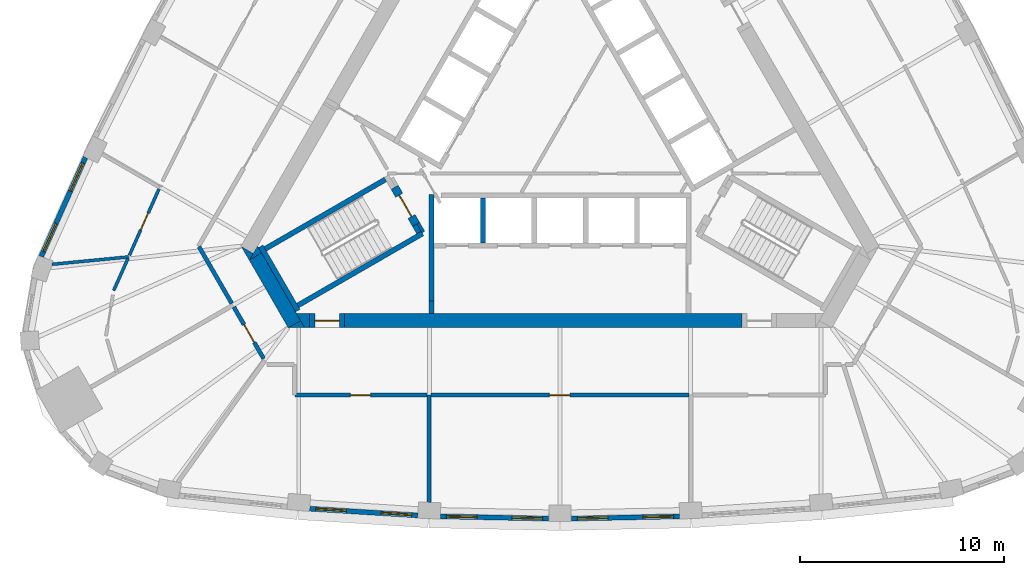
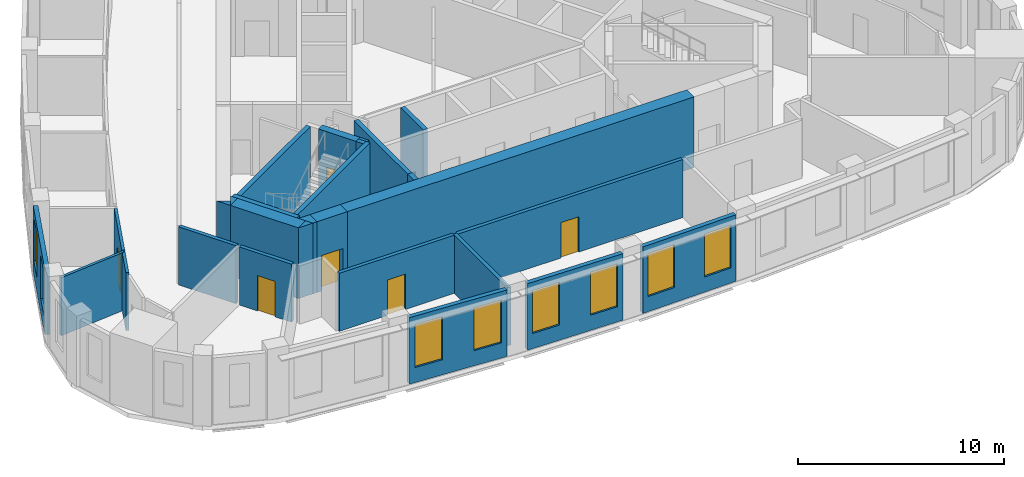
# One storey, part 3 of 11: 28 walls, 8 windows, 6 doors, 14 openings.
"""IFC4 building model written with IfcOpenShell, lengths in metres."""

from ifc_helpers import new_model, si_unit, direction, frame, frame_2d, origin, place, context, subcontext, project, spatial, polyline, rectangle, outline, extrude, material, layer, layer_set, type_object, element, fill, save


model = new_model("IFC4")

# Units and contexts
model_context = context("Model", 3, precision=1e-05, world=origin(), true_north=direction((0.0, 1.0)))
body_context = subcontext(model_context, "Body", "Model", "MODEL_VIEW")
ifc_project = project(units=[si_unit("LENGTHUNIT", "METRE"), si_unit("AREAUNIT", "SQUARE_METRE"), si_unit("VOLUMEUNIT", "CUBIC_METRE"), si_unit("PLANEANGLEUNIT", "RADIAN"), si_unit("MASSUNIT", "GRAM", prefix="KILO")], contexts=[model_context])

# Site, building, storey
site_placement = place(None, origin())
site = spatial("IfcSite", under=ifc_project, at=site_placement, CompositionType="ELEMENT")
building_placement = place(site_placement, origin())
building = spatial("IfcBuilding", under=site, at=building_placement, Name="Mestral Congress Tower", CompositionType="ELEMENT")
storey_placement = place(building_placement, frame((0.0, 0.0, 205.800048828125)))
storey = spatial("IfcBuildingStorey", under=building, at=storey_placement, Name="L48", CompositionType="ELEMENT", Elevation=205.800048828125)

# Walls
ifc_material_1 = material(Name="Concrete C60/75", Category="concrete")
ifc_layer_1 = layer(ifc_material_1, 0.699951171875)
ifc_layer_set_1 = layer_set([ifc_layer_1], Name="Concrete C60/75")
wall_type_1 = type_object("IfcWallType", Name="Core wall RC 700", PredefinedType="SOLIDWALL", material=ifc_layer_set_1)
placement = place(storey_placement, origin())
element("IfcWall", 1, at=placement, inside=storey, type_object=wall_type_1, Name="L48 core wall", PredefinedType="SOLIDWALL", context=body_context, shape_type="SweptSolid", body=[
    extrude(outline(polyline([(-15.213134765625, -7.050048828125), (-15.60107421875, -6.3779296875), (-15.019287109375, -6.714111328125), (-15.213134765625, -7.050048828125)])), origin(), (0.0, 0.0, 1.0), 4.199951171875),
])
wall_2_placement = place(storey_placement, frame((-14.9169921875, -6.86279296875, 0.0), z_axis=(0.0, 0.0, 1.0), x_axis=(0.499972675833, -0.866041178825, 0.0)))
element("IfcWall", 2, at=wall_2_placement, inside=storey, type_object=wall_type_1, Name="L48 core wall", PredefinedType="SOLIDWALL", context=body_context, shape_type="SweptSolid", body=[
    extrude(rectangle(XDim=3.828857421875, YDim=0.699951171875, at=frame_2d((1.91455078125, 0.0))), origin(), (0.0, 0.0, 1.0), 4.199951171875),
])
element("IfcWall", 3, at=placement, inside=storey, type_object=wall_type_1, Name="L48 core wall", PredefinedType="SOLIDWALL", context=body_context, shape_type="SweptSolid", body=[
    extrude(outline(polyline([(-14.80908203125, -6.35009765625), (-14.614990234375, -6.68603515625), (-15.197265625, -7.022216796875), (-14.80908203125, -6.35009765625)])), origin(), (0.0, 0.0, 1.0), 4.199951171875),
])
element("IfcWall", 4, at=placement, inside=storey, type_object=wall_type_1, Name="L48 core wall", PredefinedType="SOLIDWALL", context=body_context, shape_type="SweptSolid", body=[
    extrude(outline(polyline([(-12.49951171875, -10.35009765625), (-13.295654296875, -10.35009765625), (-12.698486328125, -10.00537109375), (-12.49951171875, -10.35009765625)])), origin(), (0.0, 0.0, 1.0), 4.199951171875),
])
element("IfcWall", 5, at=placement, inside=storey, type_object=wall_type_1, Name="L48 core wall", PredefinedType="SOLIDWALL", context=body_context, shape_type="SweptSolid", body=[
    extrude(outline(polyline([(-12.256591796875, -10.35009765625), (-12.49951171875, -10.35009765625), (-12.90380859375, -9.64990234375), (-12.256591796875, -9.64990234375), (-12.256591796875, -10.35009765625)])), origin(), (0.0, 0.0, 1.0), 4.199951171875),
])
wall_6_placement = place(storey_placement, frame((-10.556396484375, -10.0, 0.0), z_axis=(0.0, 0.0, 1.0), x_axis=(1.0, 0.0, 0.0)))
element("IfcWall", 6, at=wall_6_placement, inside=storey, type_object=wall_type_1, Name="L48 core wall", PredefinedType="SOLIDWALL", context=body_context, shape_type="SweptSolid", body=[
    extrude(rectangle(XDim=19.460693359375, YDim=0.699951171875, at=frame_2d((9.73046875, 0.0))), origin(), (0.0, 0.0, 1.0), 4.199951171875),
])

# Wall, opening, door
wall_7_placement = place(storey_placement, frame((-10.556396484375, -10.0, 0.0), z_axis=(0.0, 0.0, 1.0), x_axis=(-1.0, 0.0, 0.0)))
wall_7 = element("IfcWall", 7, at=wall_7_placement, inside=storey, type_object=wall_type_1, Name="L48 door wall", PredefinedType="SOLIDWALL", context=body_context, shape_type="SweptSolid", body=[
    extrude(rectangle(XDim=1.699951171875, YDim=0.699951171875, at=frame_2d((0.85009765625, 0.0))), origin(), (0.0, 0.0, 1.0), 4.199951171875),
])
opening_1_placement = place(wall_7_placement, frame((0.25, 0.0, 0.0)))
opening_1 = element("IfcOpeningElement", 8, at=opening_1_placement, cuts=wall_7, Name="Opening XD3", PredefinedType="OPENING", context=body_context, shape_type="SweptSolid", body=[
    extrude(rectangle(XDim=1.199951171875, YDim=2.10009765625, at=frame_2d((0.60009765625, 1.050048828125))), frame((0.0, 0.35986328125, 0.0), z_axis=(0.0, -1.0, 0.0), x_axis=(1.0, 0.0, 0.0)), (0.0, 0.0, 1.0), 0.719970703125),
])
ifc_material_2 = material(Name="Fire-rated steel door set", Category="steel")
door_type_1 = type_object("IfcDoorType", Name="Core door XD 1200x2100", OperationType="SINGLE_SWING_LEFT", PredefinedType="DOOR", material=ifc_material_2)
door_1_placement = place(opening_1_placement, origin())
door_1 = element("IfcDoor", 9, at=door_1_placement, inside=storey, type_object=door_type_1, Name="Door XD3", OperationType="SINGLE_SWING_LEFT", OverallHeight=2.10009765625, OverallWidth=1.199951171875, PredefinedType="DOOR", context=body_context, shape_type="SweptSolid", body=[
    extrude(rectangle(XDim=1.199951171875, YDim=2.10009765625, at=frame_2d((0.60009765625, 1.050048828125))), frame((0.0, 0.02490234375, 0.0), z_axis=(0.0, -1.0, 0.0), x_axis=(1.0, 0.0, 0.0)), (0.0, 0.0, 1.0), 0.050048828125),
])
fill(opening_1, door_1)

# Wall, openings, windows
ifc_material_3 = material(Name="Precast concrete C40/50 with limestone facing", Category="masonry")
ifc_layer_2 = layer(ifc_material_3, 0.239990234375)
ifc_layer_set_2 = layer_set([ifc_layer_2], Name="Precast concrete C40/50 with limestone facing")
wall_type_2 = type_object("IfcWallType", Name="Facade stone wall 240", PredefinedType="SOLIDWALL", material=ifc_layer_set_2)
wall_8_placement = place(storey_placement, frame((-12.253173828125, -19.21337890625, 0.0), z_axis=(0.0, 0.0, 1.0), x_axis=(0.9980633213, -0.062206162685, 0.0)))
wall_8 = element("IfcWall", 10, at=wall_8_placement, inside=storey, type_object=wall_type_2, Name="Facade wall F0-01", PredefinedType="SOLIDWALL", context=body_context, shape_type="SweptSolid", body=[
    extrude(rectangle(XDim=5.29833984375, YDim=0.239990234375, at=frame_2d((2.649169921875, 0.0))), origin(), (0.0, 0.0, 1.0), 3.949951171875),
])
opening_2_placement = place(wall_8_placement, frame((0.29443359375, 0.0, 0.89990234375)))
opening_2 = element("IfcOpeningElement", 11, at=opening_2_placement, cuts=wall_8, Name="Opening W4", PredefinedType="OPENING", context=body_context, shape_type="SweptSolid", body=[
    extrude(rectangle(XDim=1.5, YDim=2.550048828125, at=frame_2d((0.75, 1.27490234375))), frame((0.0, 0.1298828125, 0.0), z_axis=(0.0, -1.0, 0.0), x_axis=(1.0, 0.0, 0.0)), (0.0, 0.0, 1.0), 0.260009765625),
])
opening_3_placement = place(wall_8_placement, frame((3.503662109375, 0.0, 0.89990234375)))
opening_3 = element("IfcOpeningElement", 12, at=opening_3_placement, cuts=wall_8, Name="Opening W4", PredefinedType="OPENING", context=body_context, shape_type="SweptSolid", body=[
    extrude(rectangle(XDim=1.5, YDim=2.550048828125, at=frame_2d((0.75, 1.27490234375))), frame((0.0, 0.1298828125, 0.0), z_axis=(0.0, -1.0, 0.0), x_axis=(1.0, 0.0, 0.0)), (0.0, 0.0, 1.0), 0.260009765625),
])
ifc_material_4 = material(Name="Clear low-emissivity double glazing", Category="glass")
window_type = type_object("IfcWindowType", Name="Facade punched window 1500 x 2550 sill 900", PartitioningType="SINGLE_PANEL", PredefinedType="WINDOW", material=ifc_material_4)
window_1_placement = place(opening_2_placement, origin())
window_1 = element("IfcWindow", 13, at=window_1_placement, inside=storey, type_object=window_type, Name="Window F0-01a", OverallHeight=2.550048828125, OverallWidth=1.5, PartitioningType="SINGLE_PANEL", PredefinedType="WINDOW", context=body_context, shape_type="SweptSolid", body=[
    extrude(rectangle(XDim=1.5, YDim=2.550048828125, at=frame_2d((0.75, 1.27490234375))), frame((0.0, 0.0400390625, 0.0), z_axis=(0.0, -1.0, 0.0), x_axis=(1.0, 0.0, 0.0)), (0.0, 0.0, 1.0), 0.06005859375),
])
fill(opening_2, window_1)
window_2_placement = place(opening_3_placement, origin())
window_2 = element("IfcWindow", 14, at=window_2_placement, inside=storey, type_object=window_type, Name="Window F0-01b", OverallHeight=2.550048828125, OverallWidth=1.5, PartitioningType="SINGLE_PANEL", PredefinedType="WINDOW", context=body_context, shape_type="SweptSolid", body=[
    extrude(rectangle(XDim=1.5, YDim=2.550048828125, at=frame_2d((0.75, 1.27490234375))), frame((0.0, 0.0400390625, 0.0), z_axis=(0.0, -1.0, 0.0), x_axis=(1.0, 0.0, 0.0)), (0.0, 0.0, 1.0), 0.06005859375),
])
fill(opening_3, window_2)

wall_9_placement = place(storey_placement, frame((-5.853515625, -19.589111328125, 0.0), z_axis=(0.0, 0.0, 1.0), x_axis=(0.999784035184, -0.020781794712, 0.0)))
wall_9 = element("IfcWall", 15, at=wall_9_placement, inside=storey, type_object=wall_type_2, Name="Facade wall F0-02", PredefinedType="SOLIDWALL", context=body_context, shape_type="SweptSolid", body=[
    extrude(rectangle(XDim=5.29833984375, YDim=0.239990234375, at=frame_2d((2.649169921875, 0.0))), origin(), (0.0, 0.0, 1.0), 3.949951171875),
])
opening_4_placement = place(wall_9_placement, frame((0.29443359375, 0.0, 0.89990234375)))
opening_4 = element("IfcOpeningElement", 16, at=opening_4_placement, cuts=wall_9, Name="Opening W4", PredefinedType="OPENING", context=body_context, shape_type="SweptSolid", body=[
    extrude(rectangle(XDim=1.5, YDim=2.550048828125, at=frame_2d((0.75, 1.27490234375))), frame((0.0, 0.1298828125, 0.0), z_axis=(0.0, -1.0, 0.0), x_axis=(1.0, 0.0, 0.0)), (0.0, 0.0, 1.0), 0.260009765625),
])
opening_5_placement = place(wall_9_placement, frame((3.503662109375, 0.0, 0.89990234375)))
opening_5 = element("IfcOpeningElement", 17, at=opening_5_placement, cuts=wall_9, Name="Opening W4", PredefinedType="OPENING", context=body_context, shape_type="SweptSolid", body=[
    extrude(rectangle(XDim=1.5, YDim=2.550048828125, at=frame_2d((0.75, 1.27490234375))), frame((0.0, 0.1298828125, 0.0), z_axis=(0.0, -1.0, 0.0), x_axis=(1.0, 0.0, 0.0)), (0.0, 0.0, 1.0), 0.260009765625),
])
window_3_placement = place(opening_4_placement, origin())
window_3 = element("IfcWindow", 18, at=window_3_placement, inside=storey, type_object=window_type, Name="Window F0-02a", OverallHeight=2.550048828125, OverallWidth=1.5, PartitioningType="SINGLE_PANEL", PredefinedType="WINDOW", context=body_context, shape_type="SweptSolid", body=[
    extrude(rectangle(XDim=1.5, YDim=2.550048828125, at=frame_2d((0.75, 1.27490234375))), frame((0.0, 0.0400390625, 0.0), z_axis=(0.0, -1.0, 0.0), x_axis=(1.0, 0.0, 0.0)), (0.0, 0.0, 1.0), 0.06005859375),
])
fill(opening_4, window_3)
window_4_placement = place(opening_5_placement, origin())
window_4 = element("IfcWindow", 19, at=window_4_placement, inside=storey, type_object=window_type, Name="Window F0-02b", OverallHeight=2.550048828125, OverallWidth=1.5, PartitioningType="SINGLE_PANEL", PredefinedType="WINDOW", context=body_context, shape_type="SweptSolid", body=[
    extrude(rectangle(XDim=1.5, YDim=2.550048828125, at=frame_2d((0.75, 1.27490234375))), frame((0.0, 0.0400390625, 0.0), z_axis=(0.0, -1.0, 0.0), x_axis=(1.0, 0.0, 0.0)), (0.0, 0.0, 1.0), 0.06005859375),
])
fill(opening_5, window_4)

wall_10_placement = place(storey_placement, frame((0.556396484375, -19.69921875, 0.0), z_axis=(0.0, 0.0, 1.0), x_axis=(0.999784035184, 0.020781794712, 0.0)))
wall_10 = element("IfcWall", 20, at=wall_10_placement, inside=storey, type_object=wall_type_2, Name="Facade wall F0-03", PredefinedType="SOLIDWALL", context=body_context, shape_type="SweptSolid", body=[
    extrude(rectangle(XDim=5.29833984375, YDim=0.239990234375, at=frame_2d((2.649169921875, 0.0))), origin(), (0.0, 0.0, 1.0), 3.949951171875),
])
opening_6_placement = place(wall_10_placement, frame((0.29443359375, 0.0, 0.89990234375)))
opening_6 = element("IfcOpeningElement", 21, at=opening_6_placement, cuts=wall_10, Name="Opening W4", PredefinedType="OPENING", context=body_context, shape_type="SweptSolid", body=[
    extrude(rectangle(XDim=1.5, YDim=2.550048828125, at=frame_2d((0.75, 1.27490234375))), frame((0.0, 0.1298828125, 0.0), z_axis=(0.0, -1.0, 0.0), x_axis=(1.0, 0.0, 0.0)), (0.0, 0.0, 1.0), 0.260009765625),
])
opening_7_placement = place(wall_10_placement, frame((3.503662109375, 0.0, 0.89990234375)))
opening_7 = element("IfcOpeningElement", 22, at=opening_7_placement, cuts=wall_10, Name="Opening W4", PredefinedType="OPENING", context=body_context, shape_type="SweptSolid", body=[
    extrude(rectangle(XDim=1.5, YDim=2.550048828125, at=frame_2d((0.75, 1.27490234375))), frame((0.0, 0.1298828125, 0.0), z_axis=(0.0, -1.0, 0.0), x_axis=(1.0, 0.0, 0.0)), (0.0, 0.0, 1.0), 0.260009765625),
])
window_5_placement = place(opening_6_placement, origin())
window_5 = element("IfcWindow", 23, at=window_5_placement, inside=storey, type_object=window_type, Name="Window F0-03a", OverallHeight=2.550048828125, OverallWidth=1.5, PartitioningType="SINGLE_PANEL", PredefinedType="WINDOW", context=body_context, shape_type="SweptSolid", body=[
    extrude(rectangle(XDim=1.5, YDim=2.550048828125, at=frame_2d((0.75, 1.27490234375))), frame((0.0, 0.0400390625, 0.0), z_axis=(0.0, -1.0, 0.0), x_axis=(1.0, 0.0, 0.0)), (0.0, 0.0, 1.0), 0.06005859375),
])
fill(opening_6, window_5)
window_6_placement = place(opening_7_placement, origin())
window_6 = element("IfcWindow", 24, at=window_6_placement, inside=storey, type_object=window_type, Name="Window F0-03b", OverallHeight=2.550048828125, OverallWidth=1.5, PartitioningType="SINGLE_PANEL", PredefinedType="WINDOW", context=body_context, shape_type="SweptSolid", body=[
    extrude(rectangle(XDim=1.5, YDim=2.550048828125, at=frame_2d((0.75, 1.27490234375))), frame((0.0, 0.0400390625, 0.0), z_axis=(0.0, -1.0, 0.0), x_axis=(1.0, 0.0, 0.0)), (0.0, 0.0, 1.0), 0.06005859375),
])
fill(opening_7, window_6)

wall_11_placement = place(storey_placement, frame((-23.240478515625, -2.01123046875, 0.0), z_axis=(0.0, 0.0, 1.0), x_axis=(-0.407579651789, -0.913169659728, 0.0)))
wall_11 = element("IfcWall", 25, at=wall_11_placement, inside=storey, type_object=wall_type_2, Name="Facade wall F2-05", PredefinedType="SOLIDWALL", context=body_context, shape_type="SweptSolid", body=[
    extrude(rectangle(XDim=5.310791015625, YDim=0.239990234375, at=frame_2d((2.6552734375, 0.0))), origin(), (0.0, 0.0, 1.0), 3.949951171875),
])
opening_8_placement = place(wall_11_placement, frame((0.306396484375, 0.0, 0.89990234375)))
opening_8 = element("IfcOpeningElement", 26, at=opening_8_placement, cuts=wall_11, Name="Opening W4", PredefinedType="OPENING", context=body_context, shape_type="SweptSolid", body=[
    extrude(rectangle(XDim=1.5, YDim=2.550048828125, at=frame_2d((0.75, 1.27490234375))), frame((0.0, 0.1298828125, 0.0), z_axis=(0.0, -1.0, 0.0), x_axis=(1.0, 0.0, 0.0)), (0.0, 0.0, 1.0), 0.260009765625),
])
opening_9_placement = place(wall_11_placement, frame((3.539306640625, 0.0, 0.89990234375)))
opening_9 = element("IfcOpeningElement", 27, at=opening_9_placement, cuts=wall_11, Name="Opening W4", PredefinedType="OPENING", context=body_context, shape_type="SweptSolid", body=[
    extrude(rectangle(XDim=1.5, YDim=2.550048828125, at=frame_2d((0.75, 1.27490234375))), frame((0.0, 0.1298828125, 0.0), z_axis=(0.0, -1.0, 0.0), x_axis=(1.0, 0.0, 0.0)), (0.0, 0.0, 1.0), 0.260009765625),
])
window_7_placement = place(opening_8_placement, origin())
window_7 = element("IfcWindow", 28, at=window_7_placement, inside=storey, type_object=window_type, Name="Window F2-05a", OverallHeight=2.550048828125, OverallWidth=1.5, PartitioningType="SINGLE_PANEL", PredefinedType="WINDOW", context=body_context, shape_type="SweptSolid", body=[
    extrude(rectangle(XDim=1.5, YDim=2.550048828125, at=frame_2d((0.75, 1.27490234375))), frame((0.0, 0.0400390625, 0.0), z_axis=(0.0, -1.0, 0.0), x_axis=(1.0, 0.0, 0.0)), (0.0, 0.0, 1.0), 0.06005859375),
])
fill(opening_8, window_7)
window_8_placement = place(opening_9_placement, origin())
window_8 = element("IfcWindow", 29, at=window_8_placement, inside=storey, type_object=window_type, Name="Window F2-05b", OverallHeight=2.550048828125, OverallWidth=1.5, PartitioningType="SINGLE_PANEL", PredefinedType="WINDOW", context=body_context, shape_type="SweptSolid", body=[
    extrude(rectangle(XDim=1.5, YDim=2.550048828125, at=frame_2d((0.75, 1.27490234375))), frame((0.0, 0.0400390625, 0.0), z_axis=(0.0, -1.0, 0.0), x_axis=(1.0, 0.0, 0.0)), (0.0, 0.0, 1.0), 0.06005859375),
])
fill(opening_9, window_8)

# Wall
ifc_material_5 = material(Name="Plasterboard partition on steel studs", Category="steel")
ifc_layer_3 = layer(ifc_material_5, 0.14990234375)
ifc_layer_set_3 = layer_set([ifc_layer_3], Name="Plasterboard partition on steel studs")
wall_type_3 = type_object("IfcWallType", Name="Office partition 150", PredefinedType="PARTITIONING", material=ifc_layer_set_3)
wall_12_placement = place(storey_placement, frame((-21.121826171875, -6.882080078125, 0.0), z_axis=(0.0, 0.0, 1.0), x_axis=(-0.995354824533, -0.096274468471, 0.0)))
element("IfcWall", 30, at=wall_12_placement, inside=storey, type_object=wall_type_3, Name="Partition", PredefinedType="PARTITIONING", context=body_context, shape_type="SweptSolid", body=[
    extrude(rectangle(XDim=3.765869140625, YDim=0.14990234375, at=frame_2d((1.8828125, 0.0))), origin(), (0.0, 0.0, 1.0), 3.449951171875),
])

# Wall, opening, door
wall_13_placement = place(storey_placement, frame((-21.086669921875, -6.803466796875, 0.0), z_axis=(0.0, 0.0, 1.0), x_axis=(0.40757725445, 0.913170729741, 0.0)))
wall_13 = element("IfcWall", 31, at=wall_13_placement, inside=storey, type_object=wall_type_3, Name="Partition", PredefinedType="PARTITIONING", context=body_context, shape_type="SweptSolid", body=[
    extrude(rectangle(XDim=3.556884765625, YDim=0.14990234375, at=frame_2d((1.7783203125, 0.0))), origin(), (0.0, 0.0, 1.0), 3.449951171875),
])
opening_10_placement = place(wall_13_placement, frame((1.356689453125, 0.0, 0.0)))
opening_10 = element("IfcOpeningElement", 32, at=opening_10_placement, cuts=wall_13, Name="Opening O06-016", PredefinedType="OPENING", context=body_context, shape_type="SweptSolid", body=[
    extrude(rectangle(XDim=0.89990234375, YDim=2.10009765625, at=frame_2d((0.449951171875, 1.050048828125))), frame((0.0, 0.0849609375, 0.0), z_axis=(0.0, -1.0, 0.0), x_axis=(1.0, 0.0, 0.0)), (0.0, 0.0, 1.0), 0.169921875),
])
ifc_material_6 = material(Name="Timber door set", Category="wood")
door_type_2 = type_object("IfcDoorType", Name="Office door 900x2100", OperationType="SINGLE_SWING_LEFT", PredefinedType="DOOR", material=ifc_material_6)
door_2_placement = place(opening_10_placement, origin())
door_2 = element("IfcDoor", 33, at=door_2_placement, inside=storey, type_object=door_type_2, Name="Door O06-016", OperationType="SINGLE_SWING_RIGHT", OverallHeight=2.10009765625, OverallWidth=0.89990234375, PredefinedType="DOOR", context=body_context, shape_type="SweptSolid", body=[
    extrude(rectangle(XDim=0.89990234375, YDim=2.10009765625, at=frame_2d((0.449951171875, 1.050048828125))), frame((0.0, 0.02490234375, 0.0), z_axis=(0.0, -1.0, 0.0), x_axis=(1.0, 0.0, 0.0)), (0.0, 0.0, 1.0), 0.050048828125),
])
fill(opening_10, door_2)

# Walls
wall_14_placement = place(storey_placement, frame((-21.156982421875, -6.9609375, 0.0), z_axis=(0.0, 0.0, 1.0), x_axis=(-0.407627569492, -0.913148270869, 0.0)))
element("IfcWall", 34, at=wall_14_placement, inside=storey, type_object=wall_type_3, Name="Partition", PredefinedType="PARTITIONING", context=body_context, shape_type="SweptSolid", body=[
    extrude(rectangle(XDim=1.71826171875, YDim=0.14990234375, at=frame_2d((0.859130859375, 0.0))), origin(), (0.0, 0.0, 1.0), 3.449951171875),
])
ifc_material_7 = material(Name="Dense masonry wall, plastered", Category="masonry")
ifc_layer_4 = layer(ifc_material_7, 0.199951171875)
ifc_layer_set_4 = layer_set([ifc_layer_4], Name="Dense masonry wall, plastered")
wall_type_4 = type_object("IfcWallType", Name="Office tenancy wall 200", PredefinedType="PARTITIONING", material=ifc_layer_set_4)
wall_15_placement = place(storey_placement, frame((-6.416748046875, -13.64990234375, 0.0), z_axis=(0.0, 0.0, 1.0), x_axis=(0.0, -1.0, 0.0)))
element("IfcWall", 35, at=wall_15_placement, inside=storey, type_object=wall_type_4, Name="Tenancy wall", PredefinedType="PARTITIONING", context=body_context, shape_type="SweptSolid", body=[
    extrude(rectangle(XDim=5.246826171875, YDim=0.199951171875, at=frame_2d((2.62353515625, 0.0))), origin(), (0.0, 0.0, 1.0), 3.449951171875),
])

# Wall, opening, door
wall_16_placement = place(storey_placement, frame((-12.969970703125, -13.64990234375, 0.0), z_axis=(0.0, 0.0, 1.0), x_axis=(1.0, 0.0, 0.0)))
wall_16 = element("IfcWall", 36, at=wall_16_placement, inside=storey, type_object=wall_type_4, Name="Tenancy wall", PredefinedType="PARTITIONING", context=body_context, shape_type="SweptSolid", body=[
    extrude(rectangle(XDim=6.453125, YDim=0.199951171875, at=frame_2d((3.2265625, 0.0))), origin(), (0.0, 0.0, 1.0), 3.449951171875),
])
opening_11_placement = place(wall_16_placement, frame((2.699951171875, 0.0, 0.0)))
opening_11 = element("IfcOpeningElement", 37, at=opening_11_placement, cuts=wall_16, Name="Opening O06-001", PredefinedType="OPENING", context=body_context, shape_type="SweptSolid", body=[
    extrude(rectangle(XDim=1.0, YDim=2.10009765625, at=frame_2d((0.5, 1.050048828125))), frame((0.0, 0.10986328125, 0.0), z_axis=(0.0, -1.0, 0.0), x_axis=(1.0, 0.0, 0.0)), (0.0, 0.0, 1.0), 0.219970703125),
])
ifc_material_8 = material(Name="Fire-rated timber door set", Category="wood")
door_type_3 = type_object("IfcDoorType", Name="Office tenancy entrance door 1000x2100", OperationType="SINGLE_SWING_LEFT", PredefinedType="DOOR", material=ifc_material_8)
door_3_placement = place(opening_11_placement, origin())
door_3 = element("IfcDoor", 38, at=door_3_placement, inside=storey, type_object=door_type_3, Name="Door O06-001", OperationType="SINGLE_SWING_LEFT", OverallHeight=2.10009765625, OverallWidth=1.0, PredefinedType="DOOR", context=body_context, shape_type="SweptSolid", body=[
    extrude(rectangle(XDim=1.0, YDim=2.10009765625, at=frame_2d((0.5, 1.050048828125))), frame((0.0, 0.02490234375, 0.0), z_axis=(0.0, -1.0, 0.0), x_axis=(1.0, 0.0, 0.0)), (0.0, 0.0, 1.0), 0.050048828125),
])
fill(opening_11, door_3)

wall_17_placement = place(storey_placement, frame((-6.31689453125, -13.64990234375, 0.0), z_axis=(0.0, 0.0, 1.0), x_axis=(1.0, 0.0, 0.0)))
wall_17 = element("IfcWall", 39, at=wall_17_placement, inside=storey, type_object=wall_type_4, Name="Tenancy wall", PredefinedType="PARTITIONING", context=body_context, shape_type="SweptSolid", body=[
    extrude(rectangle(XDim=12.6337890625, YDim=0.199951171875, at=frame_2d((6.31689453125, 0.0))), origin(), (0.0, 0.0, 1.0), 3.449951171875),
])
opening_12_placement = place(wall_17_placement, frame((5.800048828125, 0.0, 0.0)))
opening_12 = element("IfcOpeningElement", 40, at=opening_12_placement, cuts=wall_17, Name="Opening O06-002", PredefinedType="OPENING", context=body_context, shape_type="SweptSolid", body=[
    extrude(rectangle(XDim=1.0, YDim=2.10009765625, at=frame_2d((0.5, 1.050048828125))), frame((0.0, 0.10986328125, 0.0), z_axis=(0.0, -1.0, 0.0), x_axis=(1.0, 0.0, 0.0)), (0.0, 0.0, 1.0), 0.219970703125),
])
door_4_placement = place(opening_12_placement, origin())
door_4 = element("IfcDoor", 41, at=door_4_placement, inside=storey, type_object=door_type_3, Name="Door O06-002", OperationType="SINGLE_SWING_LEFT", OverallHeight=2.10009765625, OverallWidth=1.0, PredefinedType="DOOR", context=body_context, shape_type="SweptSolid", body=[
    extrude(rectangle(XDim=1.0, YDim=2.10009765625, at=frame_2d((0.5, 1.050048828125))), frame((0.0, 0.02490234375, 0.0), z_axis=(0.0, -1.0, 0.0), x_axis=(1.0, 0.0, 0.0)), (0.0, 0.0, 1.0), 0.050048828125),
])
fill(opening_12, door_4)

# Wall
wall_18_placement = place(storey_placement, frame((-17.680908203125, -6.3759765625, 0.0), z_axis=(0.0, 0.0, 1.0), x_axis=(0.500022299258, -0.866012528919, 0.0)))
element("IfcWall", 42, at=wall_18_placement, inside=storey, type_object=wall_type_4, Name="Tenancy wall", PredefinedType="PARTITIONING", context=body_context, shape_type="SweptSolid", body=[
    extrude(rectangle(XDim=3.218505859375, YDim=0.199951171875, at=frame_2d((1.609375, 0.0))), origin(), (0.0, 0.0, 1.0), 3.449951171875),
])

# Wall, opening, door
wall_19_placement = place(storey_placement, frame((-15.971435546875, -9.336669921875, 0.0), z_axis=(0.0, 0.0, 1.0), x_axis=(0.500007233661, -0.866021227388, 0.0)))
wall_19 = element("IfcWall", 43, at=wall_19_placement, inside=storey, type_object=wall_type_4, Name="Tenancy wall", PredefinedType="PARTITIONING", context=body_context, shape_type="SweptSolid", body=[
    extrude(rectangle(XDim=2.9189453125, YDim=0.199951171875, at=frame_2d((1.45947265625, 0.0))), origin(), (0.0, 0.0, 1.0), 3.449951171875),
])
opening_13_placement = place(wall_19_placement, frame((1.0, 0.0, 0.0)))
opening_13 = element("IfcOpeningElement", 44, at=opening_13_placement, cuts=wall_19, Name="Opening O06-019", PredefinedType="OPENING", context=body_context, shape_type="SweptSolid", body=[
    extrude(rectangle(XDim=1.0, YDim=2.10009765625, at=frame_2d((0.5, 1.050048828125))), frame((0.0, 0.10986328125, 0.0), z_axis=(0.0, -1.0, 0.0), x_axis=(1.0, 0.0, 0.0)), (0.0, 0.0, 1.0), 0.219970703125),
])
door_5_placement = place(opening_13_placement, origin())
door_5 = element("IfcDoor", 45, at=door_5_placement, inside=storey, type_object=door_type_3, Name="Door O06-019", OperationType="SINGLE_SWING_RIGHT", OverallHeight=2.10009765625, OverallWidth=1.0, PredefinedType="DOOR", context=body_context, shape_type="SweptSolid", body=[
    extrude(rectangle(XDim=1.0, YDim=2.10009765625, at=frame_2d((0.5, 1.050048828125))), frame((0.0, 0.02490234375, 0.0), z_axis=(0.0, -1.0, 0.0), x_axis=(1.0, 0.0, 0.0)), (0.0, 0.0, 1.0), 0.050048828125),
])
fill(opening_13, door_5)

# Walls
ifc_layer_5 = layer(ifc_material_1, 0.25)
ifc_layer_set_5 = layer_set([ifc_layer_5], Name="Concrete C60/75")
wall_type_5 = type_object("IfcWallType", Name="Shaft wall RC 250", PredefinedType="SOLIDWALL", material=ifc_layer_set_5)
wall_20_placement = place(storey_placement, frame((-6.300048828125, -9.050048828125, 0.0), z_axis=(0.0, 0.0, 1.0), x_axis=(0.0, 1.0, 0.0)))
element("IfcWall", 46, at=wall_20_placement, inside=storey, type_object=wall_type_5, Name="L48 core wall", PredefinedType="SOLIDWALL", context=body_context, shape_type="SweptSolid", body=[
    extrude(rectangle(XDim=5.22998046875, YDim=0.25, at=frame_2d((2.614990234375, 0.0))), origin(), (0.0, 0.0, 1.0), 4.199951171875),
])
wall_21_placement = place(storey_placement, frame((-6.300048828125, -9.052001953125, 0.0), z_axis=(0.0, 0.0, 1.0), x_axis=(0.0, -1.0, 0.0)))
element("IfcWall", 47, at=wall_21_placement, inside=storey, type_object=wall_type_5, Name="L48 core wall", PredefinedType="SOLIDWALL", context=body_context, shape_type="SweptSolid", body=[
    extrude(rectangle(XDim=0.597900390625, YDim=0.25, at=frame_2d((0.298828125, 0.0))), origin(), (0.0, 0.0, 1.0), 4.199951171875),
])
wall_22_placement = place(storey_placement, frame((-3.780029296875, -4.0, 0.0), z_axis=(0.0, 0.0, 1.0), x_axis=(0.0, -1.0, 0.0)))
element("IfcWall", 48, at=wall_22_placement, inside=storey, type_object=wall_type_5, Name="L48 core wall", PredefinedType="SOLIDWALL", context=body_context, shape_type="SweptSolid", body=[
    extrude(rectangle(XDim=2.199951171875, YDim=0.25, at=frame_2d((1.10009765625, 0.0))), origin(), (0.0, 0.0, 1.0), 4.199951171875),
])
ifc_layer_6 = layer(ifc_material_1, 0.14990234375)
ifc_layer_set_6 = layer_set([ifc_layer_6], Name="Concrete C60/75")
wall_type_6 = type_object("IfcWallType", Name="Shaft wall RC 250 door-wall 150", PredefinedType="SOLIDWALL", material=ifc_layer_set_6)
wall_23_placement = place(storey_placement, frame((-6.940185546875, -5.230224609375, 0.0), z_axis=(0.0, 0.0, 1.0), x_axis=(0.499834152157, -0.86612113491, 0.0)))
element("IfcWall", 49, at=wall_23_placement, inside=storey, type_object=wall_type_6, Name="L48 core wall", PredefinedType="PARTITIONING", context=body_context, shape_type="SweptSolid", body=[
    extrude(rectangle(XDim=0.504638671875, YDim=0.14990234375, at=frame_2d((0.25244140625, 0.0))), origin(), (0.0, 0.0, 1.0), 4.199951171875),
])
ifc_layer_7 = layer(ifc_material_1, 0.25)
ifc_layer_set_7 = layer_set([ifc_layer_7], Name="Concrete C60/75")
wall_type_7 = type_object("IfcWallType", Name="Stair wall RC 250", PredefinedType="SOLIDWALL", material=ifc_layer_set_7)
wall_24_placement = place(storey_placement, frame((-12.839599609375, -9.510986328125, 0.0), z_axis=(0.0, 0.0, 1.0), x_axis=(-0.500048121057, 0.865997619297, 0.0)))
element("IfcWall", 50, at=wall_24_placement, inside=storey, type_object=wall_type_7, Name="L48 core wall", PredefinedType="SOLIDWALL", context=body_context, shape_type="SweptSolid", body=[
    extrude(rectangle(XDim=3.634033203125, YDim=0.25, at=frame_2d((1.81689453125, 0.0))), origin(), (0.0, 0.0, 1.0), 4.199951171875),
])
wall_25_placement = place(storey_placement, frame((-14.43994140625, -6.489501953125, 0.0), z_axis=(0.0, 0.0, 1.0), x_axis=(0.866022966069, 0.500004222222, 0.0)))
element("IfcWall", 51, at=wall_25_placement, inside=storey, type_object=wall_type_7, Name="L48 core wall", PredefinedType="SOLIDWALL", context=body_context, shape_type="SweptSolid", body=[
    extrude(rectangle(XDim=6.80029296875, YDim=0.25, at=frame_2d((3.400146484375, 0.0))), origin(), (0.0, 0.0, 1.0), 4.199951171875),
])
wall_26_placement = place(storey_placement, frame((-12.83984375, -9.2607421875, 0.0), z_axis=(0.0, 0.0, 1.0), x_axis=(0.866016039709, 0.500016218704, 0.0)))
element("IfcWall", 52, at=wall_26_placement, inside=storey, type_object=wall_type_7, Name="L48 core wall", PredefinedType="SOLIDWALL", context=body_context, shape_type="SweptSolid", body=[
    extrude(rectangle(XDim=7.050048828125, YDim=0.25, at=frame_2d((3.52490234375, 0.0))), origin(), (0.0, 0.0, 1.0), 4.199951171875),
])
wall_27_placement = place(storey_placement, frame((-6.905029296875, -5.68994140625, 0.0), z_axis=(0.0, 0.0, 1.0), x_axis=(-0.499993700073, 0.866029041019, 0.0)))
element("IfcWall", 53, at=wall_27_placement, inside=storey, type_object=wall_type_7, Name="L48 core wall", PredefinedType="SOLIDWALL", context=body_context, shape_type="SweptSolid", body=[
    extrude(rectangle(XDim=0.41552734375, YDim=0.25, at=frame_2d((0.207763671875, 0.0))), origin(), (0.0, 0.0, 1.0), 4.199951171875),
])

# Wall, opening, door
ifc_layer_8 = layer(ifc_material_1, 0.39990234375)
ifc_layer_set_8 = layer_set([ifc_layer_8], Name="Concrete C60/75")
wall_type_8 = type_object("IfcWallType", Name="Stair wall RC 250 door-wall 400", PredefinedType="SOLIDWALL", material=ifc_layer_set_8)
wall_28_placement = place(storey_placement, frame((-8.097900390625, -3.473876953125, 0.0), z_axis=(0.0, 0.0, 1.0), x_axis=(0.49994051562, -0.866059744384, 0.0)))
wall_28 = element("IfcWall", 54, at=wall_28_placement, inside=storey, type_object=wall_type_8, Name="L48 door wall", PredefinedType="SOLIDWALL", context=body_context, shape_type="SweptSolid", body=[
    extrude(rectangle(XDim=2.099853515625, YDim=0.39990234375, at=frame_2d((1.0498046875, 0.0))), origin(), (0.0, 0.0, 1.0), 4.199951171875),
])
opening_14_placement = place(wall_28_placement, frame((0.449951171875, 0.0, 0.0)))
opening_14 = element("IfcOpeningElement", 55, at=opening_14_placement, cuts=wall_28, Name="Opening ST-D3", PredefinedType="OPENING", context=body_context, shape_type="SweptSolid", body=[
    extrude(rectangle(XDim=1.199951171875, YDim=2.10009765625, at=frame_2d((0.60009765625, 1.050048828125))), frame((0.0, 0.2099609375, 0.0), z_axis=(0.0, -1.0, 0.0), x_axis=(1.0, 0.0, 0.0)), (0.0, 0.0, 1.0), 0.419921875),
])
door_type_4 = type_object("IfcDoorType", Name="Core door ST 1200x2100", OperationType="SINGLE_SWING_LEFT", PredefinedType="DOOR", material=ifc_material_2)
door_6_placement = place(opening_14_placement, origin())
door_6 = element("IfcDoor", 56, at=door_6_placement, inside=storey, type_object=door_type_4, Name="Door ST-D3", OperationType="SINGLE_SWING_LEFT", OverallHeight=2.10009765625, OverallWidth=1.199951171875, PredefinedType="DOOR", context=body_context, shape_type="SweptSolid", body=[
    extrude(rectangle(XDim=1.199951171875, YDim=2.10009765625, at=frame_2d((0.60009765625, 1.050048828125))), frame((0.0, 0.02490234375, 0.0), z_axis=(0.0, -1.0, 0.0), x_axis=(1.0, 0.0, 0.0)), (0.0, 0.0, 1.0), 0.050048828125),
])
fill(opening_14, door_6)

save(model, "model.ifc")
